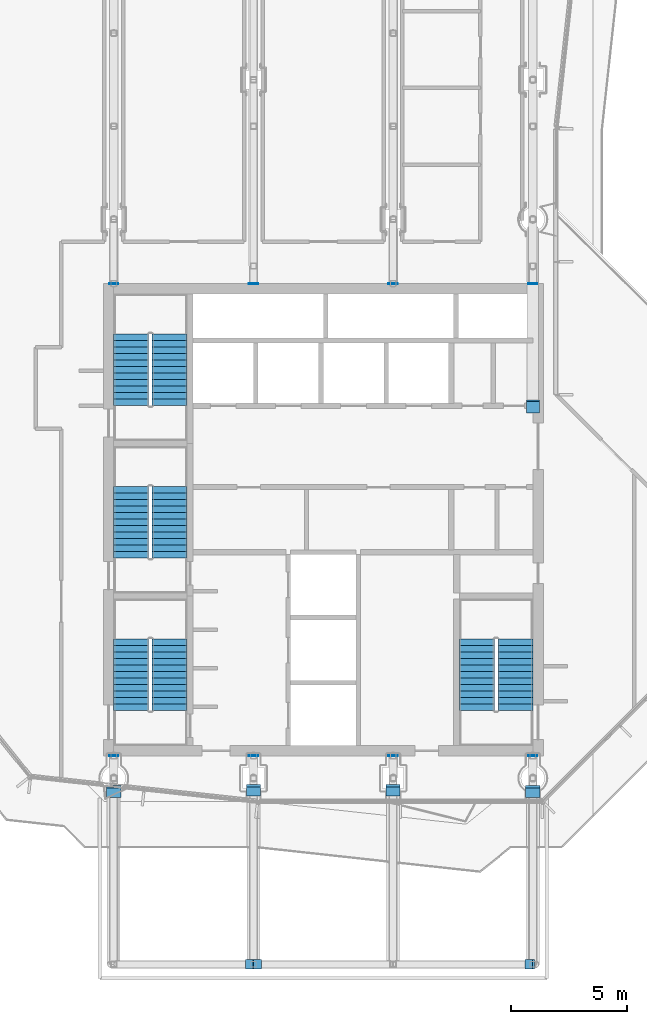
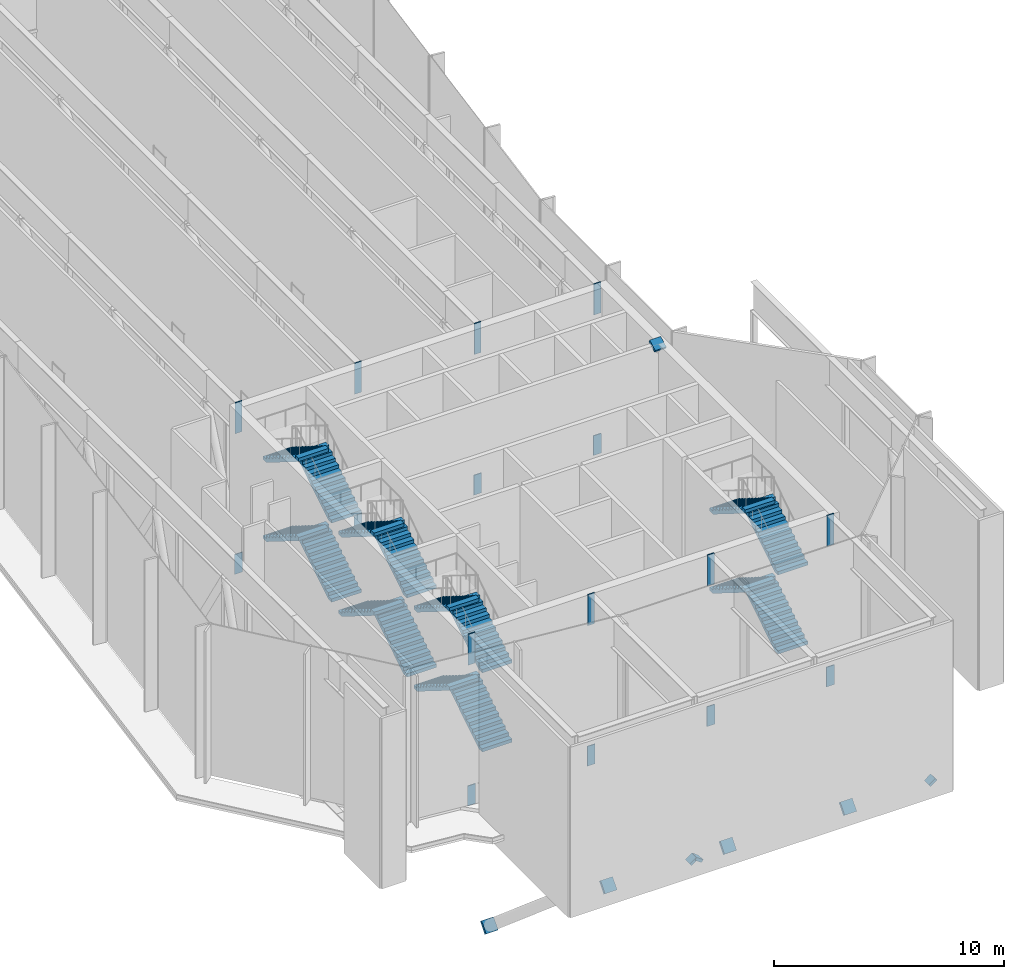
# One storey, part 14 of 21: 24 discrete accessories, 16 stair flights, 4 elements without a shape of their own.
"""IFC4 building model written with IfcOpenShell, lengths in metres."""

import ifcopenshell
import ifcopenshell.guid

model = None  # the IFC model being written
_history = None  # IfcOwnerHistory: only IFC2X3 demands one
_inside = {}  # id of a spatial element -> (the spatial element, [elements in it])
_under = {}  # id of a project, library or spatial element -> (it, [spatial elements below it])
_declared = {}  # id of a project -> (the project, [libraries it declares])
_typed = {}  # id of a type object -> (the type object, [elements of that type])
_made_of = {}  # id of a material, layer set ... -> (it, [elements and type objects made of it])


def new_model(schema):
    """Start an empty IFC model of exactly this schema.

    Asked for "IFC4X3", IfcOpenShell would pick the latest addendum, in which some entities
    have other attributes; the version numbers below select the first issue.
    IFC2X3 requires an IfcOwnerHistory on every rooted entity: one is made here for all.
    """
    global model, _history
    if schema == "IFC4X3":
        model = ifcopenshell.file(schema_version=(4, 3, 0, 0))
    else:
        model = ifcopenshell.file(schema=schema)
    _inside.clear()
    _under.clear()
    _declared.clear()
    _typed.clear()
    _made_of.clear()
    _history = None
    if model.schema == "IFC2X3":
        org = make("IfcOrganization", Name="unknown")
        user = make(
            "IfcPersonAndOrganization",
            ThePerson=make("IfcPerson", FamilyName="unknown"),
            TheOrganization=org,
        )
        app = make(
            "IfcApplication",
            ApplicationDeveloper=org,
            Version="unknown",
            ApplicationFullName="unknown",
            ApplicationIdentifier="unknown",
        )
        _history = make(
            "IfcOwnerHistory",
            OwningUser=user,
            OwningApplication=app,
            ChangeAction="ADDED",
            CreationDate=0,
        )
    return model


def make(cls, **values):
    """One entity of the class cls with the attributes given. An attribute that is None is left unset."""
    return model.create_entity(
        cls, **{name: value for name, value in values.items() if value is not None}
    )


def rooted(cls, **values):
    """An entity with a GlobalId (a new one), such as an element, a storey or a relation."""
    return make(cls, GlobalId=ifcopenshell.guid.new(), OwnerHistory=_history, **values)


def si_unit(unit_type, name, prefix=None):
    """IfcSIUnit, for example si_unit("LENGTHUNIT", "METRE", prefix="MILLI")."""
    return make("IfcSIUnit", UnitType=unit_type, Prefix=prefix, Name=name)


def assignment(units):
    """IfcUnitAssignment: the units of a project."""
    return None if units is None else make("IfcUnitAssignment", Units=units)


def point(xyz):
    """IfcCartesianPoint."""
    return None if xyz is None else make("IfcCartesianPoint", Coordinates=xyz)


def direction(xyz):
    """IfcDirection."""
    return None if xyz is None else make("IfcDirection", DirectionRatios=xyz)


def frame(location, z_axis=None, x_axis=None):
    """IfcAxis2Placement3D, a coordinate frame: its origin and axes. An axis left out is left unset."""
    return make(
        "IfcAxis2Placement3D",
        Location=point(location),
        Axis=direction(z_axis),
        RefDirection=direction(x_axis),
    )


def frame_2d(location, x_axis=None):
    """IfcAxis2Placement2D, a coordinate frame in the plane: its origin and x axis."""
    return make(
        "IfcAxis2Placement2D", Location=point(location), RefDirection=direction(x_axis)
    )


def origin():
    """The frame at (0, 0, 0) with its axes left unset."""
    return frame((0.0, 0.0, 0.0))


def origin_2d():
    """The frame at (0, 0) in the plane with its x axis left unset."""
    return frame_2d((0.0, 0.0))


def place(relative_to, where):
    """IfcLocalPlacement: puts the frame where relative to a parent placement (None: the world)."""
    return make(
        "IfcLocalPlacement", PlacementRelTo=relative_to, RelativePlacement=where
    )


def context(
    kind, dimensions, precision=None, world=None, true_north=None, identifier=None
):
    """IfcGeometricRepresentationContext, for example the 3D "Model" context."""
    return make(
        "IfcGeometricRepresentationContext",
        ContextIdentifier=identifier,
        ContextType=kind,
        CoordinateSpaceDimension=dimensions,
        Precision=precision,
        WorldCoordinateSystem=world,
        TrueNorth=true_north,
    )


def subcontext(parent, identifier, kind, view, scale=None):
    """IfcGeometricRepresentationSubContext, for example "Body" below "Model"."""
    return make(
        "IfcGeometricRepresentationSubContext",
        ContextIdentifier=identifier,
        ContextType=kind,
        ParentContext=parent,
        TargetScale=scale,
        TargetView=view,
    )


def project(units=None, contexts=None):
    """IfcProject with its units and contexts."""
    return rooted(
        "IfcProject",
        Name="project",
        RepresentationContexts=contexts,
        UnitsInContext=assignment(units),
    )


def spatial(cls, under=None, at=None, **own):
    """A site, building, storey or space (cls), placed at a placement, below another one or the project."""
    s = rooted(cls, ObjectPlacement=at, **own)
    if under is not None:
        _under.setdefault(under.id(), (under, []))[1].append(s)
    return s


def polyline(points):
    """IfcPolyline through the points."""
    return make("IfcPolyline", Points=[point(p) for p in points])


def profile(cls, at=None, kind="AREA", **sizes):
    """A parametric profile (cls). Its sizes go by their IFC names, for example OverallWidth=200.0."""
    return make(cls, ProfileType=kind, Position=at, **sizes)


def rectangle(**sizes):
    """IfcRectangleProfileDef."""
    return profile("IfcRectangleProfileDef", **sizes)


def outline(outer, holes=None, kind="AREA"):
    """IfcArbitraryClosedProfileDef: a profile drawn as a closed curve; with holes, ...WithVoids."""
    if holes is None:
        return make("IfcArbitraryClosedProfileDef", ProfileType=kind, OuterCurve=outer)
    return make(
        "IfcArbitraryProfileDefWithVoids",
        ProfileType=kind,
        OuterCurve=outer,
        InnerCurves=holes,
    )


def extrude(swept, where, along, depth):
    """IfcExtrudedAreaSolid: the profile swept, set in the frame where, extruded along a direction by depth."""
    return make(
        "IfcExtrudedAreaSolid",
        SweptArea=swept,
        Position=where,
        ExtrudedDirection=direction(along),
        Depth=depth,
    )


def shape(context_of_items, identifier, shape_type, items):
    """IfcShapeRepresentation: the items that make up one representation, for example the "Body"."""
    return make(
        "IfcShapeRepresentation",
        ContextOfItems=context_of_items,
        RepresentationIdentifier=identifier,
        RepresentationType=shape_type,
        Items=items,
    )


def material(Name=None, Category=None):
    """IfcMaterial."""
    return make("IfcMaterial", Name=Name, Category=Category)


def made_of(thing, what):
    """Note that an element or type object is made of a material, layer set ...; save() writes the relation."""
    if what is not None:
        _made_of.setdefault(what.id(), (what, []))[1].append(thing)
    return thing


def type_object(cls, material=None, **own):
    """A type object (cls), such as IfcWallType, which elements share."""
    return made_of(rooted(cls, **own), material)


def element(
    cls,
    number,
    at=None,
    inside=None,
    cuts=None,
    type_object=None,
    material=None,
    context=None,
    identifier="Body",
    shape_type=None,
    held_by="IfcProductDefinitionShape",
    body=None,
    shapes=None,
    **own,
):
    """One element of the class cls, such as IfcWall. Its Tag is "e" and its number.

    at: its placement. inside: the storey or other place that contains it. cuts: it is an
    opening in that element (IfcRelVoidsElement). A single representation is given by context,
    identifier, shape_type and body (its items); several are given by shapes. held_by: the class
    of the entity that holds the representations. save() writes the other relations.
    """
    e = rooted(cls, Tag="e%d" % number, ObjectPlacement=at, **own)
    if body is not None:
        shapes = [shape(context, identifier, shape_type, body)]
    if shapes is not None:
        e.Representation = make(held_by, Representations=shapes)
    if inside is not None:
        _inside.setdefault(inside.id(), (inside, []))[1].append(e)
    if cuts is not None:
        rooted(
            "IfcRelVoidsElement", RelatingBuildingElement=cuts, RelatedOpeningElement=e
        )
    if type_object is not None:
        _typed.setdefault(type_object.id(), (type_object, []))[1].append(e)
    return made_of(e, material)


def aggregate(whole, parts):
    """IfcRelAggregates: a whole, such as a stair, and the parts it consists of."""
    return rooted("IfcRelAggregates", RelatingObject=whole, RelatedObjects=parts)


def save(model, path):
    """Write the relations noted so far, then the file.

    IfcRelAggregates (storeys below a building ...), IfcRelContainedInSpatialStructure (elements
    in a storey), IfcRelDefinesByType, IfcRelAssociatesMaterial and IfcRelDeclares: one each for
    every whole, place, type object, material and project.
    """
    for whole, parts in _under.values():
        aggregate(whole, parts)
    for where, things in _inside.values():
        rooted(
            "IfcRelContainedInSpatialStructure",
            RelatedElements=things,
            RelatingStructure=where,
        )
    for kind, things in _typed.values():
        rooted("IfcRelDefinesByType", RelatedObjects=things, RelatingType=kind)
    for what, things in _made_of.values():
        rooted("IfcRelAssociatesMaterial", RelatedObjects=things, RelatingMaterial=what)
    for by, libraries in _declared.values():
        rooted("IfcRelDeclares", RelatingContext=by, RelatedDefinitions=libraries)
    model.write(path)


model = new_model("IFC4")

# Units and contexts
model_context = context("Model", 3, precision=1e-05, world=origin(), true_north=direction((0.0, 1.0)))
body_context = subcontext(model_context, "Body", "Model", "MODEL_VIEW")
ifc_project = project(units=[si_unit("LENGTHUNIT", "METRE"), si_unit("AREAUNIT", "SQUARE_METRE"), si_unit("VOLUMEUNIT", "CUBIC_METRE"), si_unit("PLANEANGLEUNIT", "RADIAN"), si_unit("MASSUNIT", "GRAM", prefix="KILO")], contexts=[model_context])

# Site, building, storey
site_placement = place(None, origin())
site = spatial("IfcSite", under=ifc_project, at=site_placement, CompositionType="ELEMENT")
building_placement = place(site_placement, origin())
building = spatial("IfcBuilding", under=site, at=building_placement, Name="Welwitschia Terrace Campus", CompositionType="ELEMENT")
storey_placement = place(building_placement, frame((0.0, 0.0, 255.800048828125)))
storey = spatial("IfcBuildingStorey", under=building, at=storey_placement, Name="L57", CompositionType="ELEMENT", Elevation=255.800048828125)

# Stair, stair flights
ifc_material_1 = material(Name="Concrete C40/50", Category="concrete")
stair_type = type_object("IfcStairType", Name="Stair 48R 175 W1500", PredefinedType="HALF_TURN_STAIR", material=ifc_material_1)
stair_1_placement = place(storey_placement, origin())
stair_1 = element("IfcStair", 1, at=stair_1_placement, inside=storey, type_object=stair_type, Name="L57 Exit stair S1", PredefinedType="HALF_TURN_STAIR")
ifc_material_2 = material(Name="Concrete C40/50", Category="concrete")
stair_flight_type = type_object("IfcStairFlightType", Name="Stair flight 48R 175 W1500", PredefinedType="STRAIGHT", material=ifc_material_2)
stair_flight_1_placement = place(storey_placement, frame((8.39990234375, 6.89990234375, 0.0), z_axis=(0.0, 0.0, 1.0), x_axis=(0.0, 1.0, 0.0)))
stair_flight_1 = element("IfcStairFlight", 2, at=stair_flight_1_placement, type_object=stair_flight_type, Name="S1 flight 1", NumberOfRisers=12, NumberOfTreads=11, PredefinedType="STRAIGHT", RiserHeight=0.175, TreadLength=0.28, context=body_context, shape_type="SweptSolid", body=[
    extrude(outline(polyline([(0.0, 0.0), (0.0, 0.175048828125), (0.280029296875, 0.175048828125), (0.280029296875, 0.35009765625), (0.56005859375, 0.35009765625), (0.56005859375, 0.52490234375), (0.840087890625, 0.52490234375), (0.840087890625, 0.699951171875), (1.1201171875, 0.699951171875), (1.1201171875, 0.875), (1.39990234375, 0.875), (1.39990234375, 1.050048828125), (1.679931640625, 1.050048828125), (1.679931640625, 1.22509765625), (1.9599609375, 1.22509765625), (1.9599609375, 1.39990234375), (2.239990234375, 1.39990234375), (2.239990234375, 1.574951171875), (2.52001953125, 1.574951171875), (2.52001953125, 1.75), (2.800048828125, 1.75), (2.800048828125, 1.925048828125), (3.080078125, 1.925048828125), (3.080078125, 2.10009765625), (3.080078125, 1.748291015625), (0.28271484375, 0.0), (0.0, 0.0)])), frame((0.0, 0.75, 0.0), z_axis=(0.0, -1.0, 0.0), x_axis=(1.0, 0.0, 0.0)), (0.0, 0.0, 1.0), 1.5),
])
stair_flight_2_placement = place(storey_placement, frame((6.75, 9.97998046875, 2.099853515625), z_axis=(0.0, 0.0, 1.0), x_axis=(0.0, -1.0, 0.0)))
stair_flight_2 = element("IfcStairFlight", 3, at=stair_flight_2_placement, type_object=stair_flight_type, Name="S1 flight 2", NumberOfRisers=12, NumberOfTreads=11, PredefinedType="STRAIGHT", RiserHeight=0.175, TreadLength=0.28, context=body_context, shape_type="SweptSolid", body=[
    extrude(outline(polyline([(0.0, 0.0), (0.0, 0.175048828125), (0.280029296875, 0.175048828125), (0.280029296875, 0.35009765625), (0.56005859375, 0.35009765625), (0.56005859375, 0.52490234375), (0.840087890625, 0.52490234375), (0.840087890625, 0.699951171875), (1.1201171875, 0.699951171875), (1.1201171875, 0.875), (1.39990234375, 0.875), (1.39990234375, 1.050048828125), (1.679931640625, 1.050048828125), (1.679931640625, 1.22509765625), (1.9599609375, 1.22509765625), (1.9599609375, 1.39990234375), (2.239990234375, 1.39990234375), (2.239990234375, 1.574951171875), (2.52001953125, 1.574951171875), (2.52001953125, 1.75), (2.800048828125, 1.75), (2.800048828125, 1.925048828125), (3.080078125, 1.925048828125), (3.080078125, 2.10009765625), (3.080078125, 1.748291015625), (0.28271484375, 0.0), (0.0, 0.0)])), frame((0.0, 0.75, 0.0), z_axis=(0.0, -1.0, 0.0), x_axis=(1.0, 0.0, 0.0)), (0.0, 0.0, 1.0), 1.5),
])
stair_flight_3_placement = place(storey_placement, frame((8.39990234375, 6.89990234375, 4.199951171875), z_axis=(0.0, 0.0, 1.0), x_axis=(0.0, 1.0, 0.0)))
stair_flight_3 = element("IfcStairFlight", 4, at=stair_flight_3_placement, type_object=stair_flight_type, Name="S1 flight 3", NumberOfRisers=12, NumberOfTreads=11, PredefinedType="STRAIGHT", RiserHeight=0.175, TreadLength=0.28, context=body_context, shape_type="SweptSolid", body=[
    extrude(outline(polyline([(0.0, 0.0), (0.0, 0.175048828125), (0.280029296875, 0.175048828125), (0.280029296875, 0.35009765625), (0.56005859375, 0.35009765625), (0.56005859375, 0.52490234375), (0.840087890625, 0.52490234375), (0.840087890625, 0.699951171875), (1.1201171875, 0.699951171875), (1.1201171875, 0.875), (1.39990234375, 0.875), (1.39990234375, 1.050048828125), (1.679931640625, 1.050048828125), (1.679931640625, 1.22509765625), (1.9599609375, 1.22509765625), (1.9599609375, 1.39990234375), (2.239990234375, 1.39990234375), (2.239990234375, 1.574951171875), (2.52001953125, 1.574951171875), (2.52001953125, 1.75), (2.800048828125, 1.75), (2.800048828125, 1.925048828125), (3.080078125, 1.925048828125), (3.080078125, 2.10009765625), (3.080078125, 1.748291015625), (0.28271484375, 0.0), (0.0, 0.0)])), frame((0.0, 0.75, 0.0), z_axis=(0.0, -1.0, 0.0), x_axis=(1.0, 0.0, 0.0)), (0.0, 0.0, 1.0), 1.5),
])
stair_flight_4_placement = place(storey_placement, frame((6.75, 9.97998046875, 6.300048828125), z_axis=(0.0, 0.0, 1.0), x_axis=(0.0, -1.0, 0.0)))
stair_flight_4 = element("IfcStairFlight", 5, at=stair_flight_4_placement, type_object=stair_flight_type, Name="S1 flight 4", NumberOfRisers=12, NumberOfTreads=11, PredefinedType="STRAIGHT", RiserHeight=0.175, TreadLength=0.28, context=body_context, shape_type="SweptSolid", body=[
    extrude(outline(polyline([(0.0, 0.0), (0.0, 0.175048828125), (0.280029296875, 0.175048828125), (0.280029296875, 0.35009765625), (0.56005859375, 0.35009765625), (0.56005859375, 0.52490234375), (0.840087890625, 0.52490234375), (0.840087890625, 0.699951171875), (1.1201171875, 0.699951171875), (1.1201171875, 0.875), (1.39990234375, 0.875), (1.39990234375, 1.050048828125), (1.679931640625, 1.050048828125), (1.679931640625, 1.22509765625), (1.9599609375, 1.22509765625), (1.9599609375, 1.39990234375), (2.239990234375, 1.39990234375), (2.239990234375, 1.574951171875), (2.52001953125, 1.574951171875), (2.52001953125, 1.75), (2.800048828125, 1.75), (2.800048828125, 1.925048828125), (3.080078125, 1.925048828125), (3.080078125, 2.10009765625), (3.080078125, 1.748291015625), (0.28271484375, 0.0), (0.0, 0.0)])), frame((0.0, 0.75, 0.0), z_axis=(0.0, -1.0, 0.0), x_axis=(1.0, 0.0, 0.0)), (0.0, 0.0, 1.0), 1.5),
])
aggregate(stair_1, [stair_flight_1, stair_flight_2, stair_flight_3, stair_flight_4])

stair_2_placement = place(storey_placement, origin())
stair_2 = element("IfcStair", 6, at=stair_2_placement, inside=storey, type_object=stair_type, Name="L57 Exit stair S3", PredefinedType="HALF_TURN_STAIR")
stair_flight_5_placement = place(storey_placement, frame((8.39990234375, 13.449951171875, 0.0), z_axis=(0.0, 0.0, 1.0), x_axis=(0.0, 1.0, 0.0)))
stair_flight_5 = element("IfcStairFlight", 7, at=stair_flight_5_placement, type_object=stair_flight_type, Name="S3 flight 1", NumberOfRisers=12, NumberOfTreads=11, PredefinedType="STRAIGHT", RiserHeight=0.175, TreadLength=0.28, context=body_context, shape_type="SweptSolid", body=[
    extrude(outline(polyline([(0.0, 0.0), (0.0, 0.175048828125), (0.280029296875, 0.175048828125), (0.280029296875, 0.35009765625), (0.56005859375, 0.35009765625), (0.56005859375, 0.52490234375), (0.840087890625, 0.52490234375), (0.840087890625, 0.699951171875), (1.1201171875, 0.699951171875), (1.1201171875, 0.875), (1.39990234375, 0.875), (1.39990234375, 1.050048828125), (1.679931640625, 1.050048828125), (1.679931640625, 1.22509765625), (1.9599609375, 1.22509765625), (1.9599609375, 1.39990234375), (2.239990234375, 1.39990234375), (2.239990234375, 1.574951171875), (2.52001953125, 1.574951171875), (2.52001953125, 1.75), (2.800048828125, 1.75), (2.800048828125, 1.925048828125), (3.080078125, 1.925048828125), (3.080078125, 2.10009765625), (3.080078125, 1.748291015625), (0.28271484375, 0.0), (0.0, 0.0)])), frame((0.0, 0.75, 0.0), z_axis=(0.0, -1.0, 0.0), x_axis=(1.0, 0.0, 0.0)), (0.0, 0.0, 1.0), 1.5),
])
stair_flight_6_placement = place(storey_placement, frame((6.75, 16.530029296875, 2.099853515625), z_axis=(0.0, 0.0, 1.0), x_axis=(0.0, -1.0, 0.0)))
stair_flight_6 = element("IfcStairFlight", 8, at=stair_flight_6_placement, type_object=stair_flight_type, Name="S3 flight 2", NumberOfRisers=12, NumberOfTreads=11, PredefinedType="STRAIGHT", RiserHeight=0.175, TreadLength=0.28, context=body_context, shape_type="SweptSolid", body=[
    extrude(outline(polyline([(0.0, 0.0), (0.0, 0.175048828125), (0.280029296875, 0.175048828125), (0.280029296875, 0.35009765625), (0.56005859375, 0.35009765625), (0.56005859375, 0.52490234375), (0.840087890625, 0.52490234375), (0.840087890625, 0.699951171875), (1.1201171875, 0.699951171875), (1.1201171875, 0.875), (1.39990234375, 0.875), (1.39990234375, 1.050048828125), (1.679931640625, 1.050048828125), (1.679931640625, 1.22509765625), (1.9599609375, 1.22509765625), (1.9599609375, 1.39990234375), (2.239990234375, 1.39990234375), (2.239990234375, 1.574951171875), (2.52001953125, 1.574951171875), (2.52001953125, 1.75), (2.800048828125, 1.75), (2.800048828125, 1.925048828125), (3.080078125, 1.925048828125), (3.080078125, 2.10009765625), (3.080078125, 1.748291015625), (0.28271484375, 0.0), (0.0, 0.0)])), frame((0.0, 0.75, 0.0), z_axis=(0.0, -1.0, 0.0), x_axis=(1.0, 0.0, 0.0)), (0.0, 0.0, 1.0), 1.5),
])
stair_flight_7_placement = place(storey_placement, frame((8.39990234375, 13.449951171875, 4.199951171875), z_axis=(0.0, 0.0, 1.0), x_axis=(0.0, 1.0, 0.0)))
stair_flight_7 = element("IfcStairFlight", 9, at=stair_flight_7_placement, type_object=stair_flight_type, Name="S3 flight 3", NumberOfRisers=12, NumberOfTreads=11, PredefinedType="STRAIGHT", RiserHeight=0.175, TreadLength=0.28, context=body_context, shape_type="SweptSolid", body=[
    extrude(outline(polyline([(0.0, 0.0), (0.0, 0.175048828125), (0.280029296875, 0.175048828125), (0.280029296875, 0.35009765625), (0.56005859375, 0.35009765625), (0.56005859375, 0.52490234375), (0.840087890625, 0.52490234375), (0.840087890625, 0.699951171875), (1.1201171875, 0.699951171875), (1.1201171875, 0.875), (1.39990234375, 0.875), (1.39990234375, 1.050048828125), (1.679931640625, 1.050048828125), (1.679931640625, 1.22509765625), (1.9599609375, 1.22509765625), (1.9599609375, 1.39990234375), (2.239990234375, 1.39990234375), (2.239990234375, 1.574951171875), (2.52001953125, 1.574951171875), (2.52001953125, 1.75), (2.800048828125, 1.75), (2.800048828125, 1.925048828125), (3.080078125, 1.925048828125), (3.080078125, 2.10009765625), (3.080078125, 1.748291015625), (0.28271484375, 0.0), (0.0, 0.0)])), frame((0.0, 0.75, 0.0), z_axis=(0.0, -1.0, 0.0), x_axis=(1.0, 0.0, 0.0)), (0.0, 0.0, 1.0), 1.5),
])
stair_flight_8_placement = place(storey_placement, frame((6.75, 16.530029296875, 6.300048828125), z_axis=(0.0, 0.0, 1.0), x_axis=(0.0, -1.0, 0.0)))
stair_flight_8 = element("IfcStairFlight", 10, at=stair_flight_8_placement, type_object=stair_flight_type, Name="S3 flight 4", NumberOfRisers=12, NumberOfTreads=11, PredefinedType="STRAIGHT", RiserHeight=0.175, TreadLength=0.28, context=body_context, shape_type="SweptSolid", body=[
    extrude(outline(polyline([(0.0, 0.0), (0.0, 0.175048828125), (0.280029296875, 0.175048828125), (0.280029296875, 0.35009765625), (0.56005859375, 0.35009765625), (0.56005859375, 0.52490234375), (0.840087890625, 0.52490234375), (0.840087890625, 0.699951171875), (1.1201171875, 0.699951171875), (1.1201171875, 0.875), (1.39990234375, 0.875), (1.39990234375, 1.050048828125), (1.679931640625, 1.050048828125), (1.679931640625, 1.22509765625), (1.9599609375, 1.22509765625), (1.9599609375, 1.39990234375), (2.239990234375, 1.39990234375), (2.239990234375, 1.574951171875), (2.52001953125, 1.574951171875), (2.52001953125, 1.75), (2.800048828125, 1.75), (2.800048828125, 1.925048828125), (3.080078125, 1.925048828125), (3.080078125, 2.10009765625), (3.080078125, 1.748291015625), (0.28271484375, 0.0), (0.0, 0.0)])), frame((0.0, 0.75, 0.0), z_axis=(0.0, -1.0, 0.0), x_axis=(1.0, 0.0, 0.0)), (0.0, 0.0, 1.0), 1.5),
])
aggregate(stair_2, [stair_flight_5, stair_flight_6, stair_flight_7, stair_flight_8])

stair_3_placement = place(storey_placement, origin())
stair_3 = element("IfcStair", 11, at=stair_3_placement, inside=storey, type_object=stair_type, Name="L57 Exit stair S4", PredefinedType="HALF_TURN_STAIR")
stair_flight_9_placement = place(storey_placement, frame((8.39990234375, 20.0, 0.0), z_axis=(0.0, 0.0, 1.0), x_axis=(0.0, 1.0, 0.0)))
stair_flight_9 = element("IfcStairFlight", 12, at=stair_flight_9_placement, type_object=stair_flight_type, Name="S4 flight 1", NumberOfRisers=12, NumberOfTreads=11, PredefinedType="STRAIGHT", RiserHeight=0.175, TreadLength=0.28, context=body_context, shape_type="SweptSolid", body=[
    extrude(outline(polyline([(0.0, 0.0), (0.0, 0.175048828125), (0.280029296875, 0.175048828125), (0.280029296875, 0.35009765625), (0.56005859375, 0.35009765625), (0.56005859375, 0.52490234375), (0.840087890625, 0.52490234375), (0.840087890625, 0.699951171875), (1.1201171875, 0.699951171875), (1.1201171875, 0.875), (1.39990234375, 0.875), (1.39990234375, 1.050048828125), (1.679931640625, 1.050048828125), (1.679931640625, 1.22509765625), (1.9599609375, 1.22509765625), (1.9599609375, 1.39990234375), (2.239990234375, 1.39990234375), (2.239990234375, 1.574951171875), (2.52001953125, 1.574951171875), (2.52001953125, 1.75), (2.800048828125, 1.75), (2.800048828125, 1.925048828125), (3.080078125, 1.925048828125), (3.080078125, 2.10009765625), (3.080078125, 1.748291015625), (0.28271484375, 0.0), (0.0, 0.0)])), frame((0.0, 0.75, 0.0), z_axis=(0.0, -1.0, 0.0), x_axis=(1.0, 0.0, 0.0)), (0.0, 0.0, 1.0), 1.5),
])
stair_flight_10_placement = place(storey_placement, frame((6.75, 23.080078125, 2.099853515625), z_axis=(0.0, 0.0, 1.0), x_axis=(0.0, -1.0, 0.0)))
stair_flight_10 = element("IfcStairFlight", 13, at=stair_flight_10_placement, type_object=stair_flight_type, Name="S4 flight 2", NumberOfRisers=12, NumberOfTreads=11, PredefinedType="STRAIGHT", RiserHeight=0.175, TreadLength=0.28, context=body_context, shape_type="SweptSolid", body=[
    extrude(outline(polyline([(0.0, 0.0), (0.0, 0.175048828125), (0.280029296875, 0.175048828125), (0.280029296875, 0.35009765625), (0.56005859375, 0.35009765625), (0.56005859375, 0.52490234375), (0.840087890625, 0.52490234375), (0.840087890625, 0.699951171875), (1.1201171875, 0.699951171875), (1.1201171875, 0.875), (1.39990234375, 0.875), (1.39990234375, 1.050048828125), (1.679931640625, 1.050048828125), (1.679931640625, 1.22509765625), (1.9599609375, 1.22509765625), (1.9599609375, 1.39990234375), (2.239990234375, 1.39990234375), (2.239990234375, 1.574951171875), (2.52001953125, 1.574951171875), (2.52001953125, 1.75), (2.800048828125, 1.75), (2.800048828125, 1.925048828125), (3.080078125, 1.925048828125), (3.080078125, 2.10009765625), (3.080078125, 1.748291015625), (0.28271484375, 0.0), (0.0, 0.0)])), frame((0.0, 0.75, 0.0), z_axis=(0.0, -1.0, 0.0), x_axis=(1.0, 0.0, 0.0)), (0.0, 0.0, 1.0), 1.5),
])
stair_flight_11_placement = place(storey_placement, frame((8.39990234375, 20.0, 4.199951171875), z_axis=(0.0, 0.0, 1.0), x_axis=(0.0, 1.0, 0.0)))
stair_flight_11 = element("IfcStairFlight", 14, at=stair_flight_11_placement, type_object=stair_flight_type, Name="S4 flight 3", NumberOfRisers=12, NumberOfTreads=11, PredefinedType="STRAIGHT", RiserHeight=0.175, TreadLength=0.28, context=body_context, shape_type="SweptSolid", body=[
    extrude(outline(polyline([(0.0, 0.0), (0.0, 0.175048828125), (0.280029296875, 0.175048828125), (0.280029296875, 0.35009765625), (0.56005859375, 0.35009765625), (0.56005859375, 0.52490234375), (0.840087890625, 0.52490234375), (0.840087890625, 0.699951171875), (1.1201171875, 0.699951171875), (1.1201171875, 0.875), (1.39990234375, 0.875), (1.39990234375, 1.050048828125), (1.679931640625, 1.050048828125), (1.679931640625, 1.22509765625), (1.9599609375, 1.22509765625), (1.9599609375, 1.39990234375), (2.239990234375, 1.39990234375), (2.239990234375, 1.574951171875), (2.52001953125, 1.574951171875), (2.52001953125, 1.75), (2.800048828125, 1.75), (2.800048828125, 1.925048828125), (3.080078125, 1.925048828125), (3.080078125, 2.10009765625), (3.080078125, 1.748291015625), (0.28271484375, 0.0), (0.0, 0.0)])), frame((0.0, 0.75, 0.0), z_axis=(0.0, -1.0, 0.0), x_axis=(1.0, 0.0, 0.0)), (0.0, 0.0, 1.0), 1.5),
])
stair_flight_12_placement = place(storey_placement, frame((6.75, 23.080078125, 6.300048828125), z_axis=(0.0, 0.0, 1.0), x_axis=(0.0, -1.0, 0.0)))
stair_flight_12 = element("IfcStairFlight", 15, at=stair_flight_12_placement, type_object=stair_flight_type, Name="S4 flight 4", NumberOfRisers=12, NumberOfTreads=11, PredefinedType="STRAIGHT", RiserHeight=0.175, TreadLength=0.28, context=body_context, shape_type="SweptSolid", body=[
    extrude(outline(polyline([(0.0, 0.0), (0.0, 0.175048828125), (0.280029296875, 0.175048828125), (0.280029296875, 0.35009765625), (0.56005859375, 0.35009765625), (0.56005859375, 0.52490234375), (0.840087890625, 0.52490234375), (0.840087890625, 0.699951171875), (1.1201171875, 0.699951171875), (1.1201171875, 0.875), (1.39990234375, 0.875), (1.39990234375, 1.050048828125), (1.679931640625, 1.050048828125), (1.679931640625, 1.22509765625), (1.9599609375, 1.22509765625), (1.9599609375, 1.39990234375), (2.239990234375, 1.39990234375), (2.239990234375, 1.574951171875), (2.52001953125, 1.574951171875), (2.52001953125, 1.75), (2.800048828125, 1.75), (2.800048828125, 1.925048828125), (3.080078125, 1.925048828125), (3.080078125, 2.10009765625), (3.080078125, 1.748291015625), (0.28271484375, 0.0), (0.0, 0.0)])), frame((0.0, 0.75, 0.0), z_axis=(0.0, -1.0, 0.0), x_axis=(1.0, 0.0, 0.0)), (0.0, 0.0, 1.0), 1.5),
])
aggregate(stair_3, [stair_flight_9, stair_flight_10, stair_flight_11, stair_flight_12])

stair_4_placement = place(storey_placement, origin())
stair_4 = element("IfcStair", 16, at=stair_4_placement, inside=storey, type_object=stair_type, Name="L57 Exit stair S2", PredefinedType="HALF_TURN_STAIR")
stair_flight_13_placement = place(storey_placement, frame((23.25, 6.89990234375, 0.0), z_axis=(0.0, 0.0, 1.0), x_axis=(0.0, 1.0, 0.0)))
stair_flight_13 = element("IfcStairFlight", 17, at=stair_flight_13_placement, type_object=stair_flight_type, Name="S2 flight 1", NumberOfRisers=12, NumberOfTreads=11, PredefinedType="STRAIGHT", RiserHeight=0.175, TreadLength=0.28, context=body_context, shape_type="SweptSolid", body=[
    extrude(outline(polyline([(0.0, 0.0), (0.0, 0.175048828125), (0.280029296875, 0.175048828125), (0.280029296875, 0.35009765625), (0.56005859375, 0.35009765625), (0.56005859375, 0.52490234375), (0.840087890625, 0.52490234375), (0.840087890625, 0.699951171875), (1.1201171875, 0.699951171875), (1.1201171875, 0.875), (1.39990234375, 0.875), (1.39990234375, 1.050048828125), (1.679931640625, 1.050048828125), (1.679931640625, 1.22509765625), (1.9599609375, 1.22509765625), (1.9599609375, 1.39990234375), (2.239990234375, 1.39990234375), (2.239990234375, 1.574951171875), (2.52001953125, 1.574951171875), (2.52001953125, 1.75), (2.800048828125, 1.75), (2.800048828125, 1.925048828125), (3.080078125, 1.925048828125), (3.080078125, 2.10009765625), (3.080078125, 1.748291015625), (0.28271484375, 0.0), (0.0, 0.0)])), frame((0.0, 0.75, 0.0), z_axis=(0.0, -1.0, 0.0), x_axis=(1.0, 0.0, 0.0)), (0.0, 0.0, 1.0), 1.5),
])
stair_flight_14_placement = place(storey_placement, frame((21.60009765625, 9.97998046875, 2.099853515625), z_axis=(0.0, 0.0, 1.0), x_axis=(0.0, -1.0, 0.0)))
stair_flight_14 = element("IfcStairFlight", 18, at=stair_flight_14_placement, type_object=stair_flight_type, Name="S2 flight 2", NumberOfRisers=12, NumberOfTreads=11, PredefinedType="STRAIGHT", RiserHeight=0.175, TreadLength=0.28, context=body_context, shape_type="SweptSolid", body=[
    extrude(outline(polyline([(0.0, 0.0), (0.0, 0.175048828125), (0.280029296875, 0.175048828125), (0.280029296875, 0.35009765625), (0.56005859375, 0.35009765625), (0.56005859375, 0.52490234375), (0.840087890625, 0.52490234375), (0.840087890625, 0.699951171875), (1.1201171875, 0.699951171875), (1.1201171875, 0.875), (1.39990234375, 0.875), (1.39990234375, 1.050048828125), (1.679931640625, 1.050048828125), (1.679931640625, 1.22509765625), (1.9599609375, 1.22509765625), (1.9599609375, 1.39990234375), (2.239990234375, 1.39990234375), (2.239990234375, 1.574951171875), (2.52001953125, 1.574951171875), (2.52001953125, 1.75), (2.800048828125, 1.75), (2.800048828125, 1.925048828125), (3.080078125, 1.925048828125), (3.080078125, 2.10009765625), (3.080078125, 1.748291015625), (0.28271484375, 0.0), (0.0, 0.0)])), frame((0.0, 0.75, 0.0), z_axis=(0.0, -1.0, 0.0), x_axis=(1.0, 0.0, 0.0)), (0.0, 0.0, 1.0), 1.5),
])
stair_flight_15_placement = place(storey_placement, frame((23.25, 6.89990234375, 4.199951171875), z_axis=(0.0, 0.0, 1.0), x_axis=(0.0, 1.0, 0.0)))
stair_flight_15 = element("IfcStairFlight", 19, at=stair_flight_15_placement, type_object=stair_flight_type, Name="S2 flight 3", NumberOfRisers=12, NumberOfTreads=11, PredefinedType="STRAIGHT", RiserHeight=0.175, TreadLength=0.28, context=body_context, shape_type="SweptSolid", body=[
    extrude(outline(polyline([(0.0, 0.0), (0.0, 0.175048828125), (0.280029296875, 0.175048828125), (0.280029296875, 0.35009765625), (0.56005859375, 0.35009765625), (0.56005859375, 0.52490234375), (0.840087890625, 0.52490234375), (0.840087890625, 0.699951171875), (1.1201171875, 0.699951171875), (1.1201171875, 0.875), (1.39990234375, 0.875), (1.39990234375, 1.050048828125), (1.679931640625, 1.050048828125), (1.679931640625, 1.22509765625), (1.9599609375, 1.22509765625), (1.9599609375, 1.39990234375), (2.239990234375, 1.39990234375), (2.239990234375, 1.574951171875), (2.52001953125, 1.574951171875), (2.52001953125, 1.75), (2.800048828125, 1.75), (2.800048828125, 1.925048828125), (3.080078125, 1.925048828125), (3.080078125, 2.10009765625), (3.080078125, 1.748291015625), (0.28271484375, 0.0), (0.0, 0.0)])), frame((0.0, 0.75, 0.0), z_axis=(0.0, -1.0, 0.0), x_axis=(1.0, 0.0, 0.0)), (0.0, 0.0, 1.0), 1.5),
])
stair_flight_16_placement = place(storey_placement, frame((21.60009765625, 9.97998046875, 6.300048828125), z_axis=(0.0, 0.0, 1.0), x_axis=(0.0, -1.0, 0.0)))
stair_flight_16 = element("IfcStairFlight", 20, at=stair_flight_16_placement, type_object=stair_flight_type, Name="S2 flight 4", NumberOfRisers=12, NumberOfTreads=11, PredefinedType="STRAIGHT", RiserHeight=0.175, TreadLength=0.28, context=body_context, shape_type="SweptSolid", body=[
    extrude(outline(polyline([(0.0, 0.0), (0.0, 0.175048828125), (0.280029296875, 0.175048828125), (0.280029296875, 0.35009765625), (0.56005859375, 0.35009765625), (0.56005859375, 0.52490234375), (0.840087890625, 0.52490234375), (0.840087890625, 0.699951171875), (1.1201171875, 0.699951171875), (1.1201171875, 0.875), (1.39990234375, 0.875), (1.39990234375, 1.050048828125), (1.679931640625, 1.050048828125), (1.679931640625, 1.22509765625), (1.9599609375, 1.22509765625), (1.9599609375, 1.39990234375), (2.239990234375, 1.39990234375), (2.239990234375, 1.574951171875), (2.52001953125, 1.574951171875), (2.52001953125, 1.75), (2.800048828125, 1.75), (2.800048828125, 1.925048828125), (3.080078125, 1.925048828125), (3.080078125, 2.10009765625), (3.080078125, 1.748291015625), (0.28271484375, 0.0), (0.0, 0.0)])), frame((0.0, 0.75, 0.0), z_axis=(0.0, -1.0, 0.0), x_axis=(1.0, 0.0, 0.0)), (0.0, 0.0, 1.0), 1.5),
])
aggregate(stair_4, [stair_flight_13, stair_flight_14, stair_flight_15, stair_flight_16])

# Discrete accessories
discrete_accessory_1_placement = place(storey_placement, frame((6.0, 4.949951171875, -0.5), z_axis=(0.0, 1.0, 0.0), x_axis=(-1.0, 0.0, 0.0)))
element("IfcDiscreteAccessory", 21, at=discrete_accessory_1_placement, inside=storey, Name="Cast-in embed plate", PredefinedType="BRACKET", context=body_context, shape_type="SweptSolid", body=[
    extrude(rectangle(XDim=0.39990234375, YDim=1.050048828125, at=origin_2d()), origin(), (0.0, 0.0, 1.0), 0.0400390625),
])
discrete_accessory_2_placement = place(storey_placement, frame((6.0, 4.949951171875, 7.25), z_axis=(0.0, 1.0, 0.0), x_axis=(-1.0, 0.0, 0.0)))
element("IfcDiscreteAccessory", 22, at=discrete_accessory_2_placement, inside=storey, Name="Cast-in embed plate", PredefinedType="BRACKET", context=body_context, shape_type="SweptSolid", body=[
    extrude(rectangle(XDim=0.35009765625, YDim=1.64990234375, at=origin_2d()), origin(), (0.0, 0.0, 1.0), 0.0400390625),
])
discrete_accessory_3_placement = place(storey_placement, frame((6.0, 25.25, -0.5), z_axis=(0.0, -1.0, 0.0), x_axis=(1.0, 0.0, 0.0)))
element("IfcDiscreteAccessory", 23, at=discrete_accessory_3_placement, inside=storey, Name="Cast-in embed plate", PredefinedType="BRACKET", context=body_context, shape_type="SweptSolid", body=[
    extrude(rectangle(XDim=0.39990234375, YDim=1.050048828125, at=origin_2d()), origin(), (0.0, 0.0, 1.0), 0.0400390625),
])
discrete_accessory_4_placement = place(storey_placement, frame((6.0, 25.25, 7.25), z_axis=(0.0, -1.0, 0.0), x_axis=(1.0, 0.0, 0.0)))
element("IfcDiscreteAccessory", 24, at=discrete_accessory_4_placement, inside=storey, Name="Cast-in embed plate", PredefinedType="BRACKET", context=body_context, shape_type="SweptSolid", body=[
    extrude(rectangle(XDim=0.35009765625, YDim=1.64990234375, at=origin_2d()), origin(), (0.0, 0.0, 1.0), 0.0400390625),
])
discrete_accessory_5_placement = place(storey_placement, frame((12.0, 4.949951171875, -0.5), z_axis=(0.0, 1.0, 0.0), x_axis=(-1.0, 0.0, 0.0)))
element("IfcDiscreteAccessory", 25, at=discrete_accessory_5_placement, inside=storey, Name="Cast-in embed plate", PredefinedType="BRACKET", context=body_context, shape_type="SweptSolid", body=[
    extrude(rectangle(XDim=0.39990234375, YDim=1.050048828125, at=origin_2d()), origin(), (0.0, 0.0, 1.0), 0.0400390625),
])
discrete_accessory_6_placement = place(storey_placement, frame((12.0, 4.949951171875, 7.25), z_axis=(0.0, 1.0, 0.0), x_axis=(-1.0, 0.0, 0.0)))
element("IfcDiscreteAccessory", 26, at=discrete_accessory_6_placement, inside=storey, Name="Cast-in embed plate", PredefinedType="BRACKET", context=body_context, shape_type="SweptSolid", body=[
    extrude(rectangle(XDim=0.35009765625, YDim=1.64990234375, at=origin_2d()), origin(), (0.0, 0.0, 1.0), 0.0400390625),
])
discrete_accessory_7_placement = place(storey_placement, frame((12.0, 25.25, -0.5), z_axis=(0.0, -1.0, 0.0), x_axis=(1.0, 0.0, 0.0)))
element("IfcDiscreteAccessory", 27, at=discrete_accessory_7_placement, inside=storey, Name="Cast-in embed plate", PredefinedType="BRACKET", context=body_context, shape_type="SweptSolid", body=[
    extrude(rectangle(XDim=0.39990234375, YDim=1.050048828125, at=origin_2d()), origin(), (0.0, 0.0, 1.0), 0.0400390625),
])
discrete_accessory_8_placement = place(storey_placement, frame((12.0, 25.25, 7.25), z_axis=(0.0, -1.0, 0.0), x_axis=(1.0, 0.0, 0.0)))
element("IfcDiscreteAccessory", 28, at=discrete_accessory_8_placement, inside=storey, Name="Cast-in embed plate", PredefinedType="BRACKET", context=body_context, shape_type="SweptSolid", body=[
    extrude(rectangle(XDim=0.35009765625, YDim=1.64990234375, at=origin_2d()), origin(), (0.0, 0.0, 1.0), 0.0400390625),
])
discrete_accessory_9_placement = place(storey_placement, frame((18.0, 4.949951171875, -0.5), z_axis=(0.0, 1.0, 0.0), x_axis=(-1.0, 0.0, 0.0)))
element("IfcDiscreteAccessory", 29, at=discrete_accessory_9_placement, inside=storey, Name="Cast-in embed plate", PredefinedType="BRACKET", context=body_context, shape_type="SweptSolid", body=[
    extrude(rectangle(XDim=0.39990234375, YDim=1.050048828125, at=origin_2d()), origin(), (0.0, 0.0, 1.0), 0.0400390625),
])
discrete_accessory_10_placement = place(storey_placement, frame((18.0, 4.949951171875, 7.25), z_axis=(0.0, 1.0, 0.0), x_axis=(-1.0, 0.0, 0.0)))
element("IfcDiscreteAccessory", 30, at=discrete_accessory_10_placement, inside=storey, Name="Cast-in embed plate", PredefinedType="BRACKET", context=body_context, shape_type="SweptSolid", body=[
    extrude(rectangle(XDim=0.35009765625, YDim=1.64990234375, at=origin_2d()), origin(), (0.0, 0.0, 1.0), 0.0400390625),
])
discrete_accessory_11_placement = place(storey_placement, frame((18.0, 25.25, -0.5), z_axis=(0.0, -1.0, 0.0), x_axis=(1.0, 0.0, 0.0)))
element("IfcDiscreteAccessory", 31, at=discrete_accessory_11_placement, inside=storey, Name="Cast-in embed plate", PredefinedType="BRACKET", context=body_context, shape_type="SweptSolid", body=[
    extrude(rectangle(XDim=0.39990234375, YDim=1.050048828125, at=origin_2d()), origin(), (0.0, 0.0, 1.0), 0.0400390625),
])
discrete_accessory_12_placement = place(storey_placement, frame((18.0, 25.25, 7.25), z_axis=(0.0, -1.0, 0.0), x_axis=(1.0, 0.0, 0.0)))
element("IfcDiscreteAccessory", 32, at=discrete_accessory_12_placement, inside=storey, Name="Cast-in embed plate", PredefinedType="BRACKET", context=body_context, shape_type="SweptSolid", body=[
    extrude(rectangle(XDim=0.35009765625, YDim=1.64990234375, at=origin_2d()), origin(), (0.0, 0.0, 1.0), 0.0400390625),
])
discrete_accessory_13_placement = place(storey_placement, frame((24.0, 4.949951171875, -0.5), z_axis=(0.0, 1.0, 0.0), x_axis=(-1.0, 0.0, 0.0)))
element("IfcDiscreteAccessory", 33, at=discrete_accessory_13_placement, inside=storey, Name="Cast-in embed plate", PredefinedType="BRACKET", context=body_context, shape_type="SweptSolid", body=[
    extrude(rectangle(XDim=0.39990234375, YDim=1.050048828125, at=origin_2d()), origin(), (0.0, 0.0, 1.0), 0.0400390625),
])
discrete_accessory_14_placement = place(storey_placement, frame((24.0, 4.949951171875, 7.25), z_axis=(0.0, 1.0, 0.0), x_axis=(-1.0, 0.0, 0.0)))
element("IfcDiscreteAccessory", 34, at=discrete_accessory_14_placement, inside=storey, Name="Cast-in embed plate", PredefinedType="BRACKET", context=body_context, shape_type="SweptSolid", body=[
    extrude(rectangle(XDim=0.35009765625, YDim=1.64990234375, at=origin_2d()), origin(), (0.0, 0.0, 1.0), 0.0400390625),
])
discrete_accessory_15_placement = place(storey_placement, frame((24.0, 25.25, -0.5), z_axis=(0.0, -1.0, 0.0), x_axis=(1.0, 0.0, 0.0)))
element("IfcDiscreteAccessory", 35, at=discrete_accessory_15_placement, inside=storey, Name="Cast-in embed plate", PredefinedType="BRACKET", context=body_context, shape_type="SweptSolid", body=[
    extrude(rectangle(XDim=0.39990234375, YDim=1.050048828125, at=origin_2d()), origin(), (0.0, 0.0, 1.0), 0.0400390625),
])
discrete_accessory_16_placement = place(storey_placement, frame((24.0, 25.25, 7.25), z_axis=(0.0, -1.0, 0.0), x_axis=(1.0, 0.0, 0.0)))
element("IfcDiscreteAccessory", 36, at=discrete_accessory_16_placement, inside=storey, Name="Cast-in embed plate", PredefinedType="BRACKET", context=body_context, shape_type="SweptSolid", body=[
    extrude(rectangle(XDim=0.35009765625, YDim=1.64990234375, at=origin_2d()), origin(), (0.0, 0.0, 1.0), 0.0400390625),
])
for number, where, z_axis, x_axis, name in (
    (37, (11.824951171875, -4.0, -0.5), (0.590587526116, 0.0, -0.806973589404), (0.0, 1.0, 0.0), "Seat plate"),
    (38, (12.175048828125, -4.0, -0.5), (-0.590587526116, 0.0, -0.806973589404), (0.0, -1.0, 0.0), "Seat plate"),
    (39, (23.824951171875, -4.0, -0.5), (0.590587526116, 0.0, -0.806973589404), (0.0, 1.0, 0.0), "Seat plate"),
):
    element("IfcDiscreteAccessory", number, at=place(storey_placement, frame(where, z_axis=z_axis, x_axis=x_axis)), inside=storey, Name=name, PredefinedType="BRACKET", context=body_context, shape_type="SweptSolid", body=[
        extrude(rectangle(XDim=0.406005859375, YDim=0.406005859375, at=origin_2d()), origin(), (0.0, 0.0, 1.0), 0.150146484375),
    ])
for number, where, z_axis, x_axis, name in (
    (40, (6.0, 3.368896484375, -6.47509765625), (0.0, 0.761094226699, -0.64864133239), (-1.0, 0.0, 0.0), "Seat plate"),
    (41, (12.0, 3.41943359375, -6.47509765625), (0.0, 0.763262811519, -0.64608813683), (-1.0, 0.0, 0.0), "Seat plate"),
    (42, (18.0, 3.41943359375, -6.47509765625), (0.0, 0.763262811519, -0.64608813683), (-1.0, 0.0, 0.0), "Seat plate"),
    (43, (24.0, 3.368896484375, -6.47509765625), (0.0, 0.761094226699, -0.64864133239), (-1.0, 0.0, 0.0), "Seat plate"),
):
    element("IfcDiscreteAccessory", number, at=place(storey_placement, frame(where, z_axis=z_axis, x_axis=x_axis)), inside=storey, Name=name, PredefinedType="BRACKET", context=body_context, shape_type="SweptSolid", body=[
        extrude(rectangle(XDim=0.60888671875, YDim=0.60888671875, at=origin_2d()), origin(), (0.0, 0.0, 1.0), 0.14990234375),
    ])
discrete_accessory_17_placement = place(storey_placement, frame((24.0, 20.0, 7.927978515625), z_axis=(0.0, -0.464067837833, 0.885799662389), x_axis=(1.0, 0.0, 0.0)))
element("IfcDiscreteAccessory", 44, at=discrete_accessory_17_placement, inside=storey, Name="Cast-in embed plate", PredefinedType="BRACKET", context=body_context, shape_type="SweptSolid", body=[
    extrude(rectangle(XDim=0.55810546875, YDim=0.55810546875, at=origin_2d()), origin(), (0.0, 0.0, 1.0), 0.14990234375),
])

save(model, "model.ifc")
